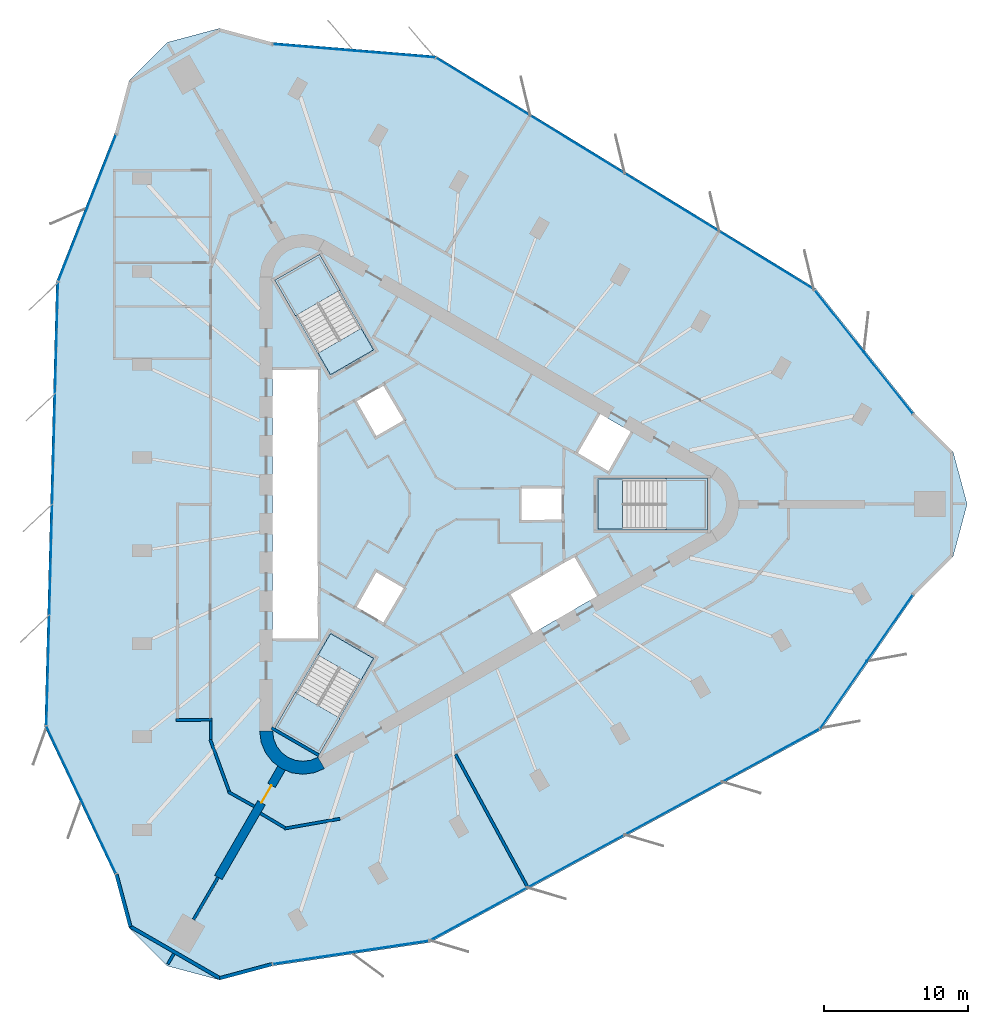
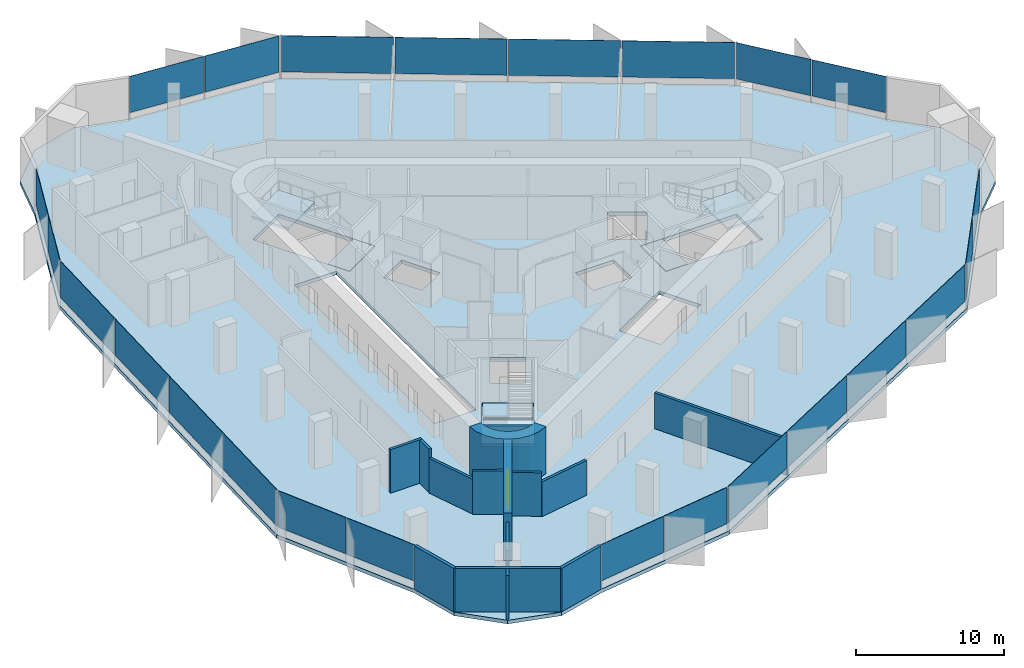
# One storey, part 7 of 13: 24 plates, 15 walls, 7 slabs, 1 door, 1 opening, 12 elements without a shape of their own.
"""IFC4 building model written with IfcOpenShell, lengths in metres."""

from ifc_helpers import new_model, si_unit, direction, frame, frame_2d, origin, origin_2d, place, context, subcontext, project, spatial, polyline, rectangle, outline, extrude, material, layer, layer_set, type_object, element, fill, aggregate, save


model = new_model("IFC4")

# Units and contexts
model_context = context("Model", 3, precision=1e-05, world=origin(), true_north=direction((0.0, 1.0)))
body_context = subcontext(model_context, "Body", "Model", "MODEL_VIEW")
ifc_project = project(units=[si_unit("LENGTHUNIT", "METRE"), si_unit("AREAUNIT", "SQUARE_METRE"), si_unit("VOLUMEUNIT", "CUBIC_METRE"), si_unit("PLANEANGLEUNIT", "RADIAN"), si_unit("MASSUNIT", "GRAM", prefix="KILO")], contexts=[model_context])

# Site, building, storey
site_placement = place(None, origin())
site = spatial("IfcSite", under=ifc_project, at=site_placement, CompositionType="ELEMENT")
building_placement = place(site_placement, origin())
building = spatial("IfcBuilding", under=site, at=building_placement, Name="Tanit Gate Tower", CompositionType="ELEMENT")
storey_placement = place(building_placement, frame((0.0, 0.0, 329.89990234375)))
storey = spatial("IfcBuildingStorey", under=building, at=storey_placement, Name="L74", CompositionType="ELEMENT", Elevation=329.89990234375)

# Slab
ifc_material_1 = material(Name="Concrete C35/45", Category="concrete")
ifc_layer_1 = layer(ifc_material_1, 0.300048828125)
ifc_layer_set_1 = layer_set([ifc_layer_1], Name="FLOOR SLAB 300 C35/45")
slab_type_1 = type_object("IfcSlabType", Name="FLOOR SLAB 300 C35/45", PredefinedType="FLOOR", material=ifc_layer_set_1)
slab_1_placement = place(storey_placement, frame((0.0, 0.0, -0.2998046875)))
element("IfcSlab", 1, at=slab_1_placement, inside=storey, type_object=slab_type_1, Name="FLOOR SLAB L74", PredefinedType="FLOOR", context=body_context, shape_type="SweptSolid", body=[
    extrude(outline(polyline([(33.388916015625, 6.315185546875), (36.05810546875, 3.64599609375), (37.034912109375, 0.0), (36.05810546875, -3.64599609375), (33.388916015625, -6.315185546875), (26.90185546875, -15.685791015625), (-0.26953125, -30.44287109375), (-11.225341796875, -32.0732421875), (-14.871337890625, -33.05029296875), (-18.517578125, -32.0732421875), (-21.186767578125, -29.404052734375), (-22.16357421875, -25.758056640625), (-27.035400390625, -15.454833984375), (-26.2294921875, 15.454833984375), (-22.16357421875, 25.758056640625), (-21.186767578125, 29.404052734375), (-18.517578125, 32.0732421875), (-14.871337890625, 33.05029296875), (-11.225341796875, 32.0732421875), (0.13330078125, 31.140625), (26.4990234375, 14.988037109375), (33.388916015625, 6.315185546875)]), holes=[polyline([(11.3701171875, 1.72998046875), (18.929931640625, 1.72998046875), (18.929931640625, -1.72998046875), (11.3701171875, -1.72998046875), (11.3701171875, 1.72998046875)]), polyline([(12.158935546875, 2.159912109375), (9.82080078125, 3.510009765625), (11.44580078125, 6.324462890625), (13.783935546875, 4.974609375), (12.158935546875, 2.159912109375)]), polyline([(11.44580078125, -6.324462890625), (6.76904296875, -9.0244140625), (5.14404296875, -6.2099609375), (9.82080078125, -3.510009765625), (11.44580078125, -6.324462890625)]), polyline([(6.0, 1.199951171875), (9.0, 1.199951171875), (9.0, -1.199951171875), (6.0, -1.199951171875), (6.0, 1.199951171875)]), polyline([(-4.039306640625, 4.59619140625), (-5.539306640625, 7.194091796875), (-3.460693359375, 8.394287109375), (-1.960693359375, 5.796142578125), (-4.039306640625, 4.59619140625)]), polyline([(-1.960693359375, -5.796142578125), (-3.460693359375, -8.394287109375), (-5.539306640625, -7.194091796875), (-4.039306640625, -4.59619140625), (-1.960693359375, -5.796142578125)]), polyline([(-7.18310546875, 8.981689453125), (-10.963134765625, 15.52880859375), (-7.966796875, 17.2587890625), (-4.186767578125, 10.711669921875), (-7.18310546875, 8.981689453125)]), polyline([(-4.186767578125, -10.711669921875), (-7.966796875, -17.2587890625), (-10.963134765625, -15.52880859375), (-7.18310546875, -8.981689453125), (-4.186767578125, -10.711669921875)]), polyline([(-11.199951171875, -9.449951171875), (-11.199951171875, 9.449951171875), (-7.949951171875, 9.449951171875), (-7.949951171875, -9.449951171875), (-11.199951171875, -9.449951171875)])]), origin(), (0.0, 0.0, 1.0), 0.2998046875),
])

# Curtain wall, plates
ifc_material_2 = material(Name="Aluminium bronze anodised and glass", Category="aluminium")
curtain_wall_type = type_object("IfcCurtainWallType", Name="Curtain wall typical high", PredefinedType="NOTDEFINED", material=ifc_material_2)
curtain_wall_1_placement = place(storey_placement, origin())
curtain_wall_1 = element("IfcCurtainWall", 2, at=curtain_wall_1_placement, inside=storey, type_object=curtain_wall_type, Name="Curtain wall L74 NE1", PredefinedType="NOTDEFINED")
ifc_material_3 = material(Name="Glass tinted", Category="glass")
ifc_layer_2 = layer(ifc_material_3, 0.028076171875)
ifc_layer_set_2 = layer_set([ifc_layer_2], Name="Glass panel 28 typical high")
plate_type = type_object("IfcPlateType", Name="Glass panel 28 typical high", PredefinedType="CURTAIN_PANEL", material=ifc_layer_set_2)
plate_1_placement = place(storey_placement, frame((31.566650390625, 8.416259765625, 0.60009765625), z_axis=(0.0, 0.0, 1.0), x_axis=(-0.622036020701, 0.782988626322, 0.0)))
plate_1 = element("IfcPlate", 3, at=plate_1_placement, type_object=plate_type, Name="Glass panel L74 NE1.1", PredefinedType="CURTAIN_PANEL", context=body_context, shape_type="SweptSolid", body=[
    extrude(rectangle(XDim=5.410888671875, YDim=0.028076171875, at=origin_2d()), origin(), (0.0, 0.0, 1.0), 3.0),
])
plate_2_placement = place(storey_placement, frame((28.15087890625, 12.715576171875, 0.60009765625), z_axis=(0.0, 0.0, 1.0), x_axis=(-0.622036020701, 0.782988626322, 0.0)))
plate_2 = element("IfcPlate", 4, at=plate_2_placement, type_object=plate_type, Name="Glass panel L74 NE1.2", PredefinedType="CURTAIN_PANEL", context=body_context, shape_type="SweptSolid", body=[
    extrude(rectangle(XDim=5.4111328125, YDim=0.028076171875, at=origin_2d()), origin(), (0.0, 0.0, 1.0), 3.0),
])
aggregate(curtain_wall_1, [plate_1, plate_2])

curtain_wall_2_placement = place(storey_placement, origin())
curtain_wall_2 = element("IfcCurtainWall", 5, at=curtain_wall_2_placement, inside=storey, type_object=curtain_wall_type, Name="Curtain wall L74 NE2", PredefinedType="NOTDEFINED")
plate_3_placement = place(storey_placement, frame((23.102294921875, 16.92822265625, 0.60009765625), z_axis=(0.0, 0.0, 1.0), x_axis=(-0.852699967985, 0.522400961521, 0.0)))
plate_3 = element("IfcPlate", 6, at=plate_3_placement, type_object=plate_type, Name="Glass panel L74 NE2.1", PredefinedType="CURTAIN_PANEL", context=body_context, shape_type="SweptSolid", body=[
    extrude(rectangle(XDim=7.61767578125, YDim=0.028076171875, at=origin_2d()), origin(), (0.0, 0.0, 1.0), 3.0),
])
plate_4_placement = place(storey_placement, frame((16.53857421875, 20.949462890625, 0.60009765625), z_axis=(0.0, 0.0, 1.0), x_axis=(-0.852699967985, 0.522400961521, 0.0)))
plate_4 = element("IfcPlate", 7, at=plate_4_placement, type_object=plate_type, Name="Glass panel L74 NE2.2", PredefinedType="CURTAIN_PANEL", context=body_context, shape_type="SweptSolid", body=[
    extrude(rectangle(XDim=7.61767578125, YDim=0.028076171875, at=origin_2d()), origin(), (0.0, 0.0, 1.0), 3.0),
])
plate_5_placement = place(storey_placement, frame((9.974853515625, 24.970703125, 0.60009765625), z_axis=(0.0, 0.0, 1.0), x_axis=(-0.852699967985, 0.522400961521, 0.0)))
plate_5 = element("IfcPlate", 8, at=plate_5_placement, type_object=plate_type, Name="Glass panel L74 NE2.3", PredefinedType="CURTAIN_PANEL", context=body_context, shape_type="SweptSolid", body=[
    extrude(rectangle(XDim=7.61767578125, YDim=0.028076171875, at=origin_2d()), origin(), (0.0, 0.0, 1.0), 3.0),
])
plate_6_placement = place(storey_placement, frame((3.4111328125, 28.991943359375, 0.60009765625), z_axis=(0.0, 0.0, 1.0), x_axis=(-0.852699967985, 0.522400961521, 0.0)))
plate_6 = element("IfcPlate", 9, at=plate_6_placement, type_object=plate_type, Name="Glass panel L74 NE2.4", PredefinedType="CURTAIN_PANEL", context=body_context, shape_type="SweptSolid", body=[
    extrude(rectangle(XDim=7.617431640625, YDim=0.028076171875, at=origin_2d()), origin(), (0.0, 0.0, 1.0), 3.0),
])
aggregate(curtain_wall_2, [plate_3, plate_4, plate_5, plate_6])

curtain_wall_3_placement = place(storey_placement, origin())
curtain_wall_3 = element("IfcCurtainWall", 10, at=curtain_wall_3_placement, inside=storey, type_object=curtain_wall_type, Name="Curtain wall L74 NE3", PredefinedType="NOTDEFINED")
plate_7_placement = place(storey_placement, frame((-2.760009765625, 31.2578125, 0.60009765625), z_axis=(0.0, 0.0, 1.0), x_axis=(-0.996646303076, 0.081829985733, 0.0)))
plate_7 = element("IfcPlate", 11, at=plate_7_placement, type_object=plate_type, Name="Glass panel L74 NE3.1", PredefinedType="CURTAIN_PANEL", context=body_context, shape_type="SweptSolid", body=[
    extrude(rectangle(XDim=5.569580078125, YDim=0.028076171875, at=origin_2d()), origin(), (0.0, 0.0, 1.0), 3.0),
])
plate_8_placement = place(storey_placement, frame((-8.390625, 31.72021484375, 0.60009765625), z_axis=(0.0, 0.0, 1.0), x_axis=(-0.996646303076, 0.081829985733, 0.0)))
plate_8 = element("IfcPlate", 12, at=plate_8_placement, type_object=plate_type, Name="Glass panel L74 NE3.2", PredefinedType="CURTAIN_PANEL", context=body_context, shape_type="SweptSolid", body=[
    extrude(rectangle(XDim=5.569580078125, YDim=0.028076171875, at=origin_2d()), origin(), (0.0, 0.0, 1.0), 3.0),
])
aggregate(curtain_wall_3, [plate_7, plate_8])

curtain_wall_4_placement = place(storey_placement, origin())
curtain_wall_4 = element("IfcCurtainWall", 13, at=curtain_wall_4_placement, inside=storey, type_object=curtain_wall_type, Name="Curtain wall L74 W1", PredefinedType="NOTDEFINED")
plate_9_placement = place(storey_placement, frame((-23.072021484375, 23.12939453125, 0.60009765625), z_axis=(0.0, 0.0, 1.0), x_axis=(-0.367070030919, -0.930193309157, 0.0)))
plate_9 = element("IfcPlate", 14, at=plate_9_placement, type_object=plate_type, Name="Glass panel L74 W1.1", PredefinedType="CURTAIN_PANEL", context=body_context, shape_type="SweptSolid", body=[
    extrude(rectangle(XDim=5.410888671875, YDim=0.028076171875, at=origin_2d()), origin(), (0.0, 0.0, 1.0), 3.0),
])
plate_10_placement = place(storey_placement, frame((-25.087646484375, 18.021484375, 0.60009765625), z_axis=(0.0, 0.0, 1.0), x_axis=(-0.367070030919, -0.930193309157, 0.0)))
plate_10 = element("IfcPlate", 15, at=plate_10_placement, type_object=plate_type, Name="Glass panel L74 W1.2", PredefinedType="CURTAIN_PANEL", context=body_context, shape_type="SweptSolid", body=[
    extrude(rectangle(XDim=5.4111328125, YDim=0.028076171875, at=origin_2d()), origin(), (0.0, 0.0, 1.0), 3.0),
])
aggregate(curtain_wall_4, [plate_9, plate_10])

curtain_wall_5_placement = place(storey_placement, origin())
curtain_wall_5 = element("IfcCurtainWall", 16, at=curtain_wall_5_placement, inside=storey, type_object=curtain_wall_type, Name="Curtain wall L74 W2", PredefinedType="NOTDEFINED")
plate_11_placement = place(storey_placement, frame((-26.21142578125, 11.54296875, 0.60009765625), z_axis=(0.0, 0.0, 1.0), x_axis=(-0.026062519646, -0.999660314842, 0.0)))
plate_11 = element("IfcPlate", 17, at=plate_11_placement, type_object=plate_type, Name="Glass panel L74 W2.1", PredefinedType="CURTAIN_PANEL", context=body_context, shape_type="SweptSolid", body=[
    extrude(rectangle(XDim=7.61767578125, YDim=0.028076171875, at=origin_2d()), origin(), (0.0, 0.0, 1.0), 3.0),
])
plate_12_placement = place(storey_placement, frame((-26.412109375, 3.84814453125, 0.60009765625), z_axis=(0.0, 0.0, 1.0), x_axis=(-0.026062519646, -0.999660314842, 0.0)))
plate_12 = element("IfcPlate", 18, at=plate_12_placement, type_object=plate_type, Name="Glass panel L74 W2.2", PredefinedType="CURTAIN_PANEL", context=body_context, shape_type="SweptSolid", body=[
    extrude(rectangle(XDim=7.61767578125, YDim=0.028076171875, at=origin_2d()), origin(), (0.0, 0.0, 1.0), 3.0),
])
plate_13_placement = place(storey_placement, frame((-26.612548828125, -3.846923828125, 0.60009765625), z_axis=(0.0, 0.0, 1.0), x_axis=(-0.026062519646, -0.999660314842, 0.0)))
plate_13 = element("IfcPlate", 19, at=plate_13_placement, type_object=plate_type, Name="Glass panel L74 W2.3", PredefinedType="CURTAIN_PANEL", context=body_context, shape_type="SweptSolid", body=[
    extrude(rectangle(XDim=7.61767578125, YDim=0.028076171875, at=origin_2d()), origin(), (0.0, 0.0, 1.0), 3.0),
])
plate_14_placement = place(storey_placement, frame((-26.813232421875, -11.5419921875, 0.60009765625), z_axis=(0.0, 0.0, 1.0), x_axis=(-0.026062519646, -0.999660314842, 0.0)))
plate_14 = element("IfcPlate", 20, at=plate_14_placement, type_object=plate_type, Name="Glass panel L74 W2.4", PredefinedType="CURTAIN_PANEL", context=body_context, shape_type="SweptSolid", body=[
    extrude(rectangle(XDim=7.617431640625, YDim=0.028076171875, at=origin_2d()), origin(), (0.0, 0.0, 1.0), 3.0),
])
aggregate(curtain_wall_5, [plate_11, plate_12, plate_13, plate_14])

curtain_wall_6_placement = place(storey_placement, origin())
curtain_wall_6 = element("IfcCurtainWall", 21, at=curtain_wall_6_placement, inside=storey, type_object=curtain_wall_type, Name="Curtain wall L74 W3", PredefinedType="NOTDEFINED")
plate_15_placement = place(storey_placement, frame((-25.68994140625, -18.019287109375, 0.60009765625), z_axis=(0.0, 0.0, 1.0), x_axis=(0.427456305102, -0.904036009918, 0.0)))
plate_15 = element("IfcPlate", 22, at=plate_15_placement, type_object=plate_type, Name="Glass panel L74 W3.1", PredefinedType="CURTAIN_PANEL", context=body_context, shape_type="SweptSolid", body=[
    extrude(rectangle(XDim=5.569580078125, YDim=0.028076171875, at=origin_2d()), origin(), (0.0, 0.0, 1.0), 3.0),
])
plate_16_placement = place(storey_placement, frame((-23.275146484375, -23.126708984375, 0.60009765625), z_axis=(0.0, 0.0, 1.0), x_axis=(0.427456305102, -0.904036009918, 0.0)))
plate_16 = element("IfcPlate", 23, at=plate_16_placement, type_object=plate_type, Name="Glass panel L74 W3.2", PredefinedType="CURTAIN_PANEL", context=body_context, shape_type="SweptSolid", body=[
    extrude(rectangle(XDim=5.569580078125, YDim=0.028076171875, at=origin_2d()), origin(), (0.0, 0.0, 1.0), 3.0),
])
aggregate(curtain_wall_6, [plate_15, plate_16])

curtain_wall_7_placement = place(storey_placement, origin())
curtain_wall_7 = element("IfcCurtainWall", 24, at=curtain_wall_7_placement, inside=storey, type_object=curtain_wall_type, Name="Curtain wall L74 SE1", PredefinedType="NOTDEFINED")
plate_17_placement = place(storey_placement, frame((-8.49462890625, -31.545654296875, 0.60009765625), z_axis=(0.0, 0.0, 1.0), x_axis=(0.98910605162, 0.147204682835, 0.0)))
plate_17 = element("IfcPlate", 25, at=plate_17_placement, type_object=plate_type, Name="Glass panel L74 SE1.1", PredefinedType="CURTAIN_PANEL", context=body_context, shape_type="SweptSolid", body=[
    extrude(rectangle(XDim=5.410888671875, YDim=0.028076171875, at=origin_2d()), origin(), (0.0, 0.0, 1.0), 3.0),
])
plate_18_placement = place(storey_placement, frame((-3.063232421875, -30.7373046875, 0.60009765625), z_axis=(0.0, 0.0, 1.0), x_axis=(0.98910605162, 0.147204682835, 0.0)))
plate_18 = element("IfcPlate", 26, at=plate_18_placement, type_object=plate_type, Name="Glass panel L74 SE1.2", PredefinedType="CURTAIN_PANEL", context=body_context, shape_type="SweptSolid", body=[
    extrude(rectangle(XDim=5.4111328125, YDim=0.028076171875, at=origin_2d()), origin(), (0.0, 0.0, 1.0), 3.0),
])
aggregate(curtain_wall_7, [plate_17, plate_18])

curtain_wall_8_placement = place(storey_placement, origin())
curtain_wall_8 = element("IfcCurtainWall", 27, at=curtain_wall_8_placement, inside=storey, type_object=curtain_wall_type, Name="Curtain wall L74 SE2", PredefinedType="NOTDEFINED")
plate_19_placement = place(storey_placement, frame((3.109130859375, -28.47119140625, 0.60009765625), z_axis=(0.0, 0.0, 1.0), x_axis=(0.878762487631, 0.477259353321, 0.0)))
plate_19 = element("IfcPlate", 28, at=plate_19_placement, type_object=plate_type, Name="Glass panel L74 SE2.1", PredefinedType="CURTAIN_PANEL", context=body_context, shape_type="SweptSolid", body=[
    extrude(rectangle(XDim=7.61767578125, YDim=0.028076171875, at=origin_2d()), origin(), (0.0, 0.0, 1.0), 3.0),
])
plate_20_placement = place(storey_placement, frame((9.87353515625, -24.797607421875, 0.60009765625), z_axis=(0.0, 0.0, 1.0), x_axis=(0.878762487631, 0.477259353321, 0.0)))
plate_20 = element("IfcPlate", 29, at=plate_20_placement, type_object=plate_type, Name="Glass panel L74 SE2.2", PredefinedType="CURTAIN_PANEL", context=body_context, shape_type="SweptSolid", body=[
    extrude(rectangle(XDim=7.61767578125, YDim=0.028076171875, at=origin_2d()), origin(), (0.0, 0.0, 1.0), 3.0),
])
plate_21_placement = place(storey_placement, frame((16.637939453125, -21.123779296875, 0.60009765625), z_axis=(0.0, 0.0, 1.0), x_axis=(0.878762487631, 0.477259353321, 0.0)))
plate_21 = element("IfcPlate", 30, at=plate_21_placement, type_object=plate_type, Name="Glass panel L74 SE2.3", PredefinedType="CURTAIN_PANEL", context=body_context, shape_type="SweptSolid", body=[
    extrude(rectangle(XDim=7.61767578125, YDim=0.028076171875, at=origin_2d()), origin(), (0.0, 0.0, 1.0), 3.0),
])
plate_22_placement = place(storey_placement, frame((23.402099609375, -17.449951171875, 0.60009765625), z_axis=(0.0, 0.0, 1.0), x_axis=(0.878762487631, 0.477259353321, 0.0)))
plate_22 = element("IfcPlate", 31, at=plate_22_placement, type_object=plate_type, Name="Glass panel L74 SE2.4", PredefinedType="CURTAIN_PANEL", context=body_context, shape_type="SweptSolid", body=[
    extrude(rectangle(XDim=7.617431640625, YDim=0.028076171875, at=origin_2d()), origin(), (0.0, 0.0, 1.0), 3.0),
])
aggregate(curtain_wall_8, [plate_19, plate_20, plate_21, plate_22])

curtain_wall_9_placement = place(storey_placement, origin())
curtain_wall_9 = element("IfcCurtainWall", 32, at=curtain_wall_9_placement, inside=storey, type_object=curtain_wall_type, Name="Curtain wall L74 SE3", PredefinedType="NOTDEFINED")
plate_23_placement = place(storey_placement, frame((28.4501953125, -13.238525390625, 0.60009765625), z_axis=(0.0, 0.0, 1.0), x_axis=(0.569189997974, 0.822206024185, 0.0)))
plate_23 = element("IfcPlate", 33, at=plate_23_placement, type_object=plate_type, Name="Glass panel L74 SE3.1", PredefinedType="CURTAIN_PANEL", context=body_context, shape_type="SweptSolid", body=[
    extrude(rectangle(XDim=5.569580078125, YDim=0.028076171875, at=origin_2d()), origin(), (0.0, 0.0, 1.0), 3.0),
])
plate_24_placement = place(storey_placement, frame((31.665771484375, -8.593505859375, 0.60009765625), z_axis=(0.0, 0.0, 1.0), x_axis=(0.569189997974, 0.822206024185, 0.0)))
plate_24 = element("IfcPlate", 34, at=plate_24_placement, type_object=plate_type, Name="Glass panel L74 SE3.2", PredefinedType="CURTAIN_PANEL", context=body_context, shape_type="SweptSolid", body=[
    extrude(rectangle(XDim=5.569580078125, YDim=0.028076171875, at=origin_2d()), origin(), (0.0, 0.0, 1.0), 3.0),
])
aggregate(curtain_wall_9, [plate_23, plate_24])

# Stair, slab
ifc_material_4 = material(Name="Concrete C40/50", Category="concrete")
stair_type = type_object("IfcStairType", Name="INT-STAIR-EXIT", PredefinedType="HALF_TURN_STAIR", material=ifc_material_4)
stair_1_placement = place(storey_placement, origin())
stair_1 = element("IfcStair", 35, at=stair_1_placement, inside=storey, type_object=stair_type, Name="L74 STAIR S1", PredefinedType="HALF_TURN_STAIR")
ifc_material_5 = material(Name="Concrete C40/50", Category="concrete")
ifc_layer_3 = layer(ifc_material_5, 0.199951171875)
ifc_layer_set_3 = layer_set([ifc_layer_3], Name="INT-STAIR-LANDING")
slab_type_2 = type_object("IfcSlabType", Name="INT-STAIR-LANDING", PredefinedType="LANDING", material=ifc_layer_set_3)
slab_2_placement = place(storey_placement, frame((0.0, 0.0, 1.75)))
slab_2 = element("IfcSlab", 36, at=slab_2_placement, type_object=slab_type_2, Name="S1 landing 1", PredefinedType="LANDING", context=body_context, shape_type="SweptSolid", body=[
    extrude(outline(polyline([(16.135986328125, -1.800048828125), (19.0, -1.800048828125), (19.0, 1.800048828125), (16.135986328125, 1.800048828125), (16.135986328125, -1.800048828125)])), origin(), (0.0, 0.0, 1.0), 0.2001953125),
])
aggregate(stair_1, [slab_2])

# Slab
slab_3_placement = place(storey_placement, frame((0.0, 0.0, -0.199951171875)))
element("IfcSlab", 37, at=slab_3_placement, inside=storey, type_object=slab_type_2, Name="S1 floor landing", PredefinedType="LANDING", context=body_context, shape_type="SweptSolid", body=[
    extrude(outline(polyline([(11.3798828125, -1.719970703125), (13.10498046875, -1.719970703125), (13.10498046875, 1.719970703125), (11.3798828125, 1.719970703125), (11.3798828125, -1.719970703125)])), origin(), (0.0, 0.0, 1.0), 0.199951171875),
])

# Stair, slab
stair_2_placement = place(storey_placement, origin())
stair_2 = element("IfcStair", 38, at=stair_2_placement, inside=storey, type_object=stair_type, Name="L74 STAIR S2", PredefinedType="HALF_TURN_STAIR")
slab_4_placement = place(storey_placement, frame((0.0, 0.0, 1.75)))
slab_4 = element("IfcSlab", 39, at=slab_4_placement, type_object=slab_type_2, Name="S2 landing 1", PredefinedType="LANDING", context=body_context, shape_type="SweptSolid", body=[
    extrude(outline(polyline([(-6.5078125, 14.871826171875), (-7.941162109375, 17.3544921875), (-11.058837890625, 15.554443359375), (-9.62548828125, 13.07177734375), (-6.5078125, 14.871826171875)])), origin(), (0.0, 0.0, 1.0), 0.2001953125),
])
aggregate(stair_2, [slab_4])

# Slab
slab_5_placement = place(storey_placement, frame((0.0, 0.0, -0.199951171875)))
element("IfcSlab", 40, at=slab_5_placement, inside=storey, type_object=slab_type_2, Name="S2 floor landing", PredefinedType="LANDING", context=body_context, shape_type="SweptSolid", body=[
    extrude(outline(polyline([(-4.200439453125, 10.71533203125), (-5.0625, 12.20849609375), (-8.04150390625, 10.48828125), (-7.179443359375, 8.995361328125), (-4.200439453125, 10.71533203125)])), origin(), (0.0, 0.0, 1.0), 0.199951171875),
])

# Stair, slab
stair_3_placement = place(storey_placement, origin())
stair_3 = element("IfcStair", 41, at=stair_3_placement, inside=storey, type_object=stair_type, Name="L74 STAIR S3", PredefinedType="HALF_TURN_STAIR")
slab_6_placement = place(storey_placement, frame((0.0, 0.0, 1.75)))
slab_6 = element("IfcSlab", 42, at=slab_6_placement, type_object=slab_type_2, Name="S3 landing 1", PredefinedType="LANDING", context=body_context, shape_type="SweptSolid", body=[
    extrude(outline(polyline([(-9.626953125, -13.07421875), (-11.058837890625, -15.554443359375), (-7.941162109375, -17.3544921875), (-6.509033203125, -14.874267578125), (-9.626953125, -13.07421875)])), origin(), (0.0, 0.0, 1.0), 0.2001953125),
])
aggregate(stair_3, [slab_6])

# Slab
slab_7_placement = place(storey_placement, frame((0.0, 0.0, -0.199951171875)))
element("IfcSlab", 43, at=slab_7_placement, inside=storey, type_object=slab_type_2, Name="S3 floor landing", PredefinedType="LANDING", context=body_context, shape_type="SweptSolid", body=[
    extrude(outline(polyline([(-7.179443359375, -8.995361328125), (-8.0419921875, -10.4892578125), (-5.06298828125, -12.209228515625), (-4.200439453125, -10.71533203125), (-7.179443359375, -8.995361328125)])), origin(), (0.0, 0.0, 1.0), 0.199951171875),
])

# Wall, opening, door
ifc_material_6 = material(Name="Concrete C40/50", Category="concrete")
ifc_layer_4 = layer(ifc_material_6, 0.60009765625)
ifc_layer_set_4 = layer_set([ifc_layer_4], Name="BUTTRESS FIN 600 C40/50")
wall_type_1 = type_object("IfcWallType", Name="BUTTRESS FIN 600 C40/50", PredefinedType="SHEAR", material=ifc_layer_set_4)
wall_1_placement = place(storey_placement, frame((-10.574951171875, -18.31640625, 0.0), z_axis=(0.0, 0.0, 1.0), x_axis=(-0.499987805019, -0.866032444446, 0.0)))
wall_1 = element("IfcWall", 44, at=wall_1_placement, inside=storey, type_object=wall_type_1, Name="BUTTRESS FIN", PredefinedType="SHEAR", context=body_context, shape_type="SweptSolid", body=[
    extrude(rectangle(XDim=8.787353515625, YDim=0.60009765625, at=frame_2d((4.3935546875, 0.0))), origin(), (0.0, 0.0, 1.0), 3.900146484375),
])
opening_placement = place(wall_1_placement, frame((1.39990234375, 0.0, 0.0)))
opening = element("IfcOpeningElement", 45, at=opening_placement, cuts=wall_1, Name="Opening P14-S20-F-SW-1", PredefinedType="OPENING", context=body_context, shape_type="SweptSolid", body=[
    extrude(rectangle(XDim=1.39990234375, YDim=2.39990234375, at=frame_2d((0.699951171875, 1.199951171875))), frame((0.0, 0.31005859375, 0.0), z_axis=(0.0, -1.0, 0.0), x_axis=(1.0, 0.0, 0.0)), (0.0, 0.0, 1.0), 0.6201171875),
])
ifc_material_7 = material(Name="Timber door leaf", Category="wood")
door_type = type_object("IfcDoorType", Name="INT-DOOR-FIN-PAIR-1400", OperationType="NOTDEFINED", PredefinedType="NOTDEFINED", material=ifc_material_7)
door_placement = place(opening_placement, origin())
door = element("IfcDoor", 46, at=door_placement, inside=storey, type_object=door_type, Name="Door P14-S20-F-SW-1", OperationType="DOUBLE_DOOR_SINGLE_SWING", OverallHeight=2.39990234375, OverallWidth=1.39990234375, PredefinedType="NOTDEFINED", context=body_context, shape_type="SweptSolid", body=[
    extrude(rectangle(XDim=1.39990234375, YDim=2.39990234375, at=frame_2d((0.699951171875, 1.199951171875))), frame((0.0, 0.02490234375, 0.0), z_axis=(0.0, -1.0, 0.0), x_axis=(1.0, 0.0, 0.0)), (0.0, 0.0, 1.0), 0.050048828125),
])
fill(opening, door)

# Walls
ifc_material_8 = material(Name="Concrete C40/50", Category="concrete")
ifc_layer_5 = layer(ifc_material_8, 0.89990234375)
ifc_layer_set_5 = layer_set([ifc_layer_5], Name="CORE WALL 900 C40/50")
wall_type_2 = type_object("IfcWallType", Name="CORE WALL 900 C40/50", PredefinedType="SHEAR", material=ifc_layer_set_5)
wall_2_placement = place(storey_placement, origin())
element("IfcWall", 47, at=wall_2_placement, inside=storey, type_object=wall_type_2, Name="CORE WALL CORNER", PredefinedType="SHEAR", context=body_context, shape_type="SweptSolid", body=[
    extrude(outline(polyline([(-12.10009765625, -15.76171875), (-11.997802734375, -16.5380859375), (-11.697998046875, -17.26171875), (-11.22119140625, -17.883056640625), (-10.60009765625, -18.359619140625), (-9.87646484375, -18.659423828125), (-9.10009765625, -18.76171875), (-8.323486328125, -18.659423828125), (-7.60009765625, -18.359619140625), (-8.050048828125, -17.580322265625), (-8.556396484375, -17.7900390625), (-9.10009765625, -17.86181640625), (-9.6435546875, -17.7900390625), (-10.14990234375, -17.580322265625), (-10.5849609375, -17.24658203125), (-10.918701171875, -16.811767578125), (-11.12841796875, -16.30517578125), (-11.199951171875, -15.76171875), (-12.10009765625, -15.76171875)])), origin(), (0.0, 0.0, 1.0), 3.900146484375),
])
ifc_material_9 = material(Name="Concrete C30/37 with bronze anodised aluminium cladding", Category="concrete")
ifc_layer_6 = layer(ifc_material_9, 0.239990234375)
ifc_layer_set_6 = layer_set([ifc_layer_6], Name="Facade wall bronze clad 240")
wall_type_3 = type_object("IfcWallType", Name="Facade wall bronze clad 240", PredefinedType="SOLIDWALL", material=ifc_layer_set_6)
wall_3_placement = place(storey_placement, frame((-22.050537109375, -25.716552734375, 0.0), z_axis=(0.0, 0.0, 1.0), x_axis=(0.258816283321, -0.965926566302, 0.0)))
element("IfcWall", 48, at=wall_3_placement, inside=storey, type_object=wall_type_3, Name="Bronze-clad facade wall L74 SW.arc1", PredefinedType="SOLIDWALL", context=body_context, shape_type="SweptSolid", body=[
    extrude(rectangle(XDim=3.75341796875, YDim=0.239990234375, at=frame_2d((1.876708984375, 0.0))), origin(), (0.0, 0.0, 1.0), 3.60009765625),
])
wall_4_placement = place(storey_placement, frame((-21.0791015625, -29.342041015625, 0.0), z_axis=(0.0, 0.0, 1.0), x_axis=(0.866029611329, -0.499992712247, 0.0)))
element("IfcWall", 49, at=wall_4_placement, inside=storey, type_object=wall_type_3, Name="Bronze-clad facade wall L74 SW.arc2", PredefinedType="SOLIDWALL", context=body_context, shape_type="SweptSolid", body=[
    extrude(rectangle(XDim=7.16796875, YDim=0.239990234375, at=frame_2d((3.583984375, 0.0))), origin(), (0.0, 0.0, 1.0), 3.60009765625),
])
wall_5_placement = place(storey_placement, frame((-14.871337890625, -32.926025390625, 0.0), z_axis=(0.0, 0.0, 1.0), x_axis=(0.965921891913, 0.258833727946, 0.0)))
element("IfcWall", 50, at=wall_5_placement, inside=storey, type_object=wall_type_3, Name="Bronze-clad facade wall L74 SW.arc3", PredefinedType="SOLIDWALL", context=body_context, shape_type="SweptSolid", body=[
    extrude(rectangle(XDim=3.749267578125, YDim=0.239990234375, at=frame_2d((1.87451171875, 0.0))), origin(), (0.0, 0.0, 1.0), 3.60009765625),
])
ifc_material_10 = material(Name="Fire-rated gypsum board partition")
ifc_layer_7 = layer(ifc_material_10, 0.199951171875)
ifc_layer_set_7 = layer_set([ifc_layer_7], Name="INT-WALL-COMPARTMENT")
wall_type_4 = type_object("IfcWallType", Name="INT-WALL-COMPARTMENT", PredefinedType="PARTITIONING", material=ifc_layer_set_7)
wall_6_placement = place(storey_placement, frame((-17.89990234375, -15.001220703125, 0.0), z_axis=(0.0, 0.0, 1.0), x_axis=(0.999915662945, 0.012987185857, 0.0)))
element("IfcWall", 51, at=wall_6_placement, inside=storey, type_object=wall_type_4, Name="Wall Compartment W084", PredefinedType="PARTITIONING", context=body_context, shape_type="SweptSolid", body=[
    extrude(rectangle(XDim=2.500244140625, YDim=0.199951171875, at=frame_2d((1.25, 0.0))), origin(), (0.0, 0.0, 1.0), 3.60009765625),
])
wall_7_placement = place(storey_placement, frame((-14.293212890625, -19.9775390625, 0.0), z_axis=(0.0, 0.0, 1.0), x_axis=(0.872510000486, -0.48859625362, 0.0)))
element("IfcWall", 52, at=wall_7_placement, inside=storey, type_object=wall_type_4, Name="Wall Compartment W087", PredefinedType="PARTITIONING", context=body_context, shape_type="SweptSolid", body=[
    extrude(rectangle(XDim=2.089599609375, YDim=0.199951171875, at=frame_2d((1.044921875, 0.0))), origin(), (0.0, 0.0, 1.0), 3.60009765625),
])
wall_8_placement = place(storey_placement, frame((-15.5341796875, -16.346435546875, 0.0), z_axis=(0.0, 0.0, 1.0), x_axis=(0.342001008711, -0.939699584996, 0.0)))
element("IfcWall", 53, at=wall_8_placement, inside=storey, type_object=wall_type_4, Name="Wall Compartment W088", PredefinedType="PARTITIONING", context=body_context, shape_type="SweptSolid", body=[
    extrude(rectangle(XDim=3.87548828125, YDim=0.199951171875, at=frame_2d((1.937744140625, 0.0))), origin(), (0.0, 0.0, 1.0), 2.880126953125),
])
wall_9_placement = place(storey_placement, frame((-15.5, -15.070068359375, 0.0), z_axis=(0.0, 0.0, 1.0), x_axis=(0.0, -1.0, 0.0)))
element("IfcWall", 54, at=wall_9_placement, inside=storey, type_object=wall_type_4, Name="Wall Compartment W089", PredefinedType="PARTITIONING", context=body_context, shape_type="SweptSolid", body=[
    extrude(rectangle(XDim=1.2705078125, YDim=0.199951171875, at=frame_2d((0.63525390625, 0.0))), origin(), (0.0, 0.0, 1.0), 3.60009765625),
])
wall_10_placement = place(storey_placement, frame((-10.405517578125, -22.53759765625, 0.0), z_axis=(0.0, 0.0, 1.0), x_axis=(0.98480284819, 0.173675991999, 0.0)))
element("IfcWall", 55, at=wall_10_placement, inside=storey, type_object=wall_type_4, Name="Wall Compartment W106", PredefinedType="PARTITIONING", context=body_context, shape_type="SweptSolid", body=[
    extrude(rectangle(XDim=3.94873046875, YDim=0.199951171875, at=frame_2d((1.974365234375, 0.0))), origin(), (0.0, 0.0, 1.0), 2.880126953125),
])
wall_11_placement = place(storey_placement, frame((-12.05029296875, -21.4716796875, 0.0), z_axis=(0.0, 0.0, 1.0), x_axis=(0.859577966481, -0.511004617924, 0.0)))
element("IfcWall", 56, at=wall_11_placement, inside=storey, type_object=wall_type_4, Name="Wall Compartment W107", PredefinedType="PARTITIONING", context=body_context, shape_type="SweptSolid", body=[
    extrude(rectangle(XDim=1.99755859375, YDim=0.199951171875, at=frame_2d((0.998779296875, 0.0))), origin(), (0.0, 0.0, 1.0), 3.60009765625),
])
wall_12_placement = place(storey_placement, frame((-18.477294921875, -31.94384765625, 0.0), z_axis=(0.0, 0.0, 1.0), x_axis=(0.499798627271, 0.866141635172, 0.0)))
element("IfcWall", 57, at=wall_12_placement, inside=storey, type_object=wall_type_4, Name="Wall Compartment W110", PredefinedType="PARTITIONING", context=body_context, shape_type="SweptSolid", body=[
    extrude(rectangle(XDim=0.832275390625, YDim=0.199951171875, at=frame_2d((0.416015625, 0.0))), origin(), (0.0, 0.0, 1.0), 3.60009765625),
])
wall_13_placement = place(storey_placement, frame((-16.693603515625, -28.85400390625, 0.0), z_axis=(0.0, 0.0, 1.0), x_axis=(0.503017521745, 0.864276213266, 0.0)))
element("IfcWall", 58, at=wall_13_placement, inside=storey, type_object=wall_type_4, Name="Wall Compartment W111", PredefinedType="PARTITIONING", context=body_context, shape_type="SweptSolid", body=[
    extrude(rectangle(XDim=3.39794921875, YDim=0.199951171875, at=frame_2d((1.698974609375, 0.0))), origin(), (0.0, 0.0, 1.0), 3.170166015625),
])
wall_14_placement = place(storey_placement, frame((1.498779296875, -17.37890625, 0.0), z_axis=(0.0, 0.0, 1.0), x_axis=(0.477249140753, -0.87876803404, 0.0)))
element("IfcWall", 59, at=wall_14_placement, inside=storey, type_object=wall_type_4, Name="Wall Compartment W124", PredefinedType="PARTITIONING", context=body_context, shape_type="SweptSolid", body=[
    extrude(rectangle(XDim=10.51611328125, YDim=0.199951171875, at=frame_2d((5.258056640625, 0.0))), origin(), (0.0, 0.0, 1.0), 2.97021484375),
])
ifc_material_11 = material(Name="Concrete C40/50", Category="concrete")
ifc_layer_8 = layer(ifc_material_11, 0.199951171875)
ifc_layer_set_8 = layer_set([ifc_layer_8], Name="INT-WALL-STAIR")
wall_type_5 = type_object("IfcWallType", Name="INT-WALL-STAIR", PredefinedType="SHEAR", material=ifc_layer_set_8)
wall_15_placement = place(storey_placement, frame((-11.281982421875, -15.541015625, -0.2998046875), z_axis=(0.0, 0.0, 1.0), x_axis=(0.866000483506, -0.500043160704, 0.0)))
element("IfcWall", 60, at=wall_15_placement, inside=storey, type_object=wall_type_5, Name="Wall Stair W037", PredefinedType="SHEAR", context=body_context, shape_type="SweptSolid", body=[
    extrude(rectangle(XDim=3.800048828125, YDim=0.199951171875, at=frame_2d((1.89990234375, 0.0))), origin(), (0.0, 0.0, 1.0), 3.89990234375),
])

save(model, "model.ifc")
